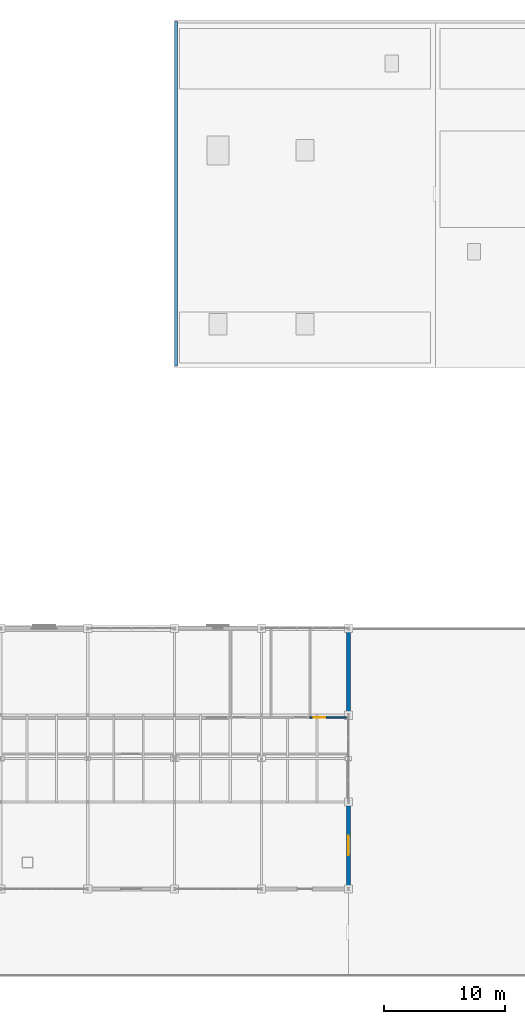
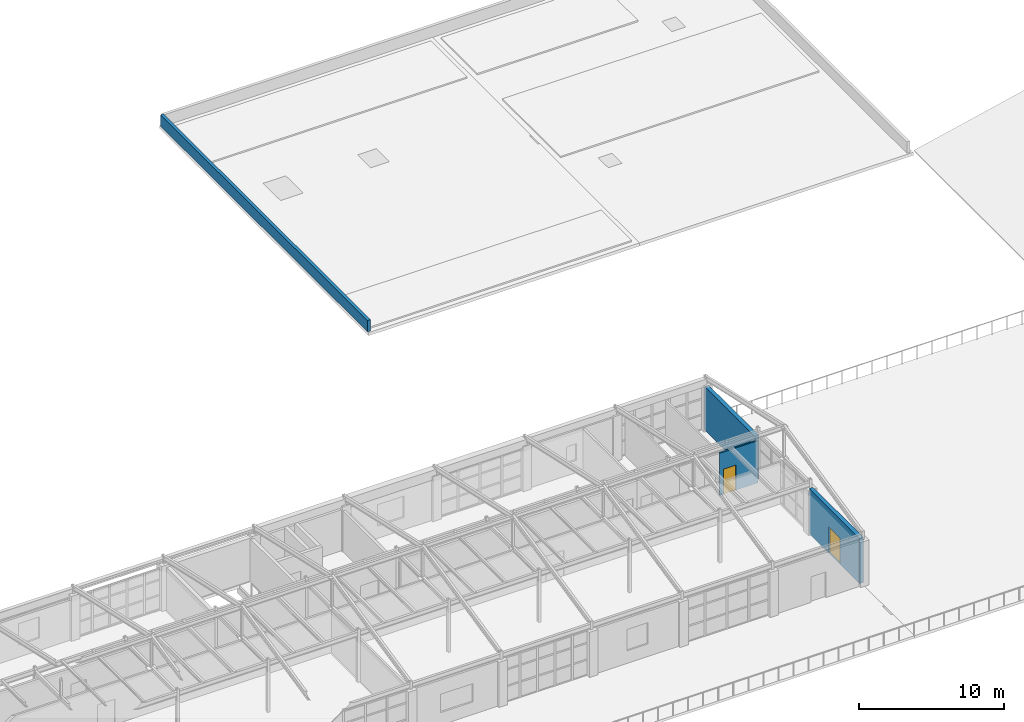
# One storey, part 95 of 101: 4 walls, 2 doors, 2 openings.
"""IFC4 building model written with IfcOpenShell, lengths in metres."""

import ifcopenshell
import ifcopenshell.guid

model = None  # the IFC model being written
_history = None  # IfcOwnerHistory: only IFC2X3 demands one
_inside = {}  # id of a spatial element -> (the spatial element, [elements in it])
_under = {}  # id of a project, library or spatial element -> (it, [spatial elements below it])
_declared = {}  # id of a project -> (the project, [libraries it declares])
_typed = {}  # id of a type object -> (the type object, [elements of that type])
_made_of = {}  # id of a material, layer set ... -> (it, [elements and type objects made of it])


def new_model(schema):
    """Start an empty IFC model of exactly this schema.

    Asked for "IFC4X3", IfcOpenShell would pick the latest addendum, in which some entities
    have other attributes; the version numbers below select the first issue.
    IFC2X3 requires an IfcOwnerHistory on every rooted entity: one is made here for all.
    """
    global model, _history
    if schema == "IFC4X3":
        model = ifcopenshell.file(schema_version=(4, 3, 0, 0))
    else:
        model = ifcopenshell.file(schema=schema)
    _inside.clear()
    _under.clear()
    _declared.clear()
    _typed.clear()
    _made_of.clear()
    _history = None
    if model.schema == "IFC2X3":
        org = make("IfcOrganization", Name="unknown")
        user = make(
            "IfcPersonAndOrganization",
            ThePerson=make("IfcPerson", FamilyName="unknown"),
            TheOrganization=org,
        )
        app = make(
            "IfcApplication",
            ApplicationDeveloper=org,
            Version="unknown",
            ApplicationFullName="unknown",
            ApplicationIdentifier="unknown",
        )
        _history = make(
            "IfcOwnerHistory",
            OwningUser=user,
            OwningApplication=app,
            ChangeAction="ADDED",
            CreationDate=0,
        )
    return model


def make(cls, **values):
    """One entity of the class cls with the attributes given. An attribute that is None is left unset."""
    return model.create_entity(
        cls, **{name: value for name, value in values.items() if value is not None}
    )


def rooted(cls, **values):
    """An entity with a GlobalId (a new one), such as an element, a storey or a relation."""
    return make(cls, GlobalId=ifcopenshell.guid.new(), OwnerHistory=_history, **values)


def si_unit(unit_type, name, prefix=None):
    """IfcSIUnit, for example si_unit("LENGTHUNIT", "METRE", prefix="MILLI")."""
    return make("IfcSIUnit", UnitType=unit_type, Prefix=prefix, Name=name)


def assignment(units):
    """IfcUnitAssignment: the units of a project."""
    return None if units is None else make("IfcUnitAssignment", Units=units)


def point(xyz):
    """IfcCartesianPoint."""
    return None if xyz is None else make("IfcCartesianPoint", Coordinates=xyz)


def direction(xyz):
    """IfcDirection."""
    return None if xyz is None else make("IfcDirection", DirectionRatios=xyz)


def frame(location, z_axis=None, x_axis=None):
    """IfcAxis2Placement3D, a coordinate frame: its origin and axes. An axis left out is left unset."""
    return make(
        "IfcAxis2Placement3D",
        Location=point(location),
        Axis=direction(z_axis),
        RefDirection=direction(x_axis),
    )


def frame_2d(location, x_axis=None):
    """IfcAxis2Placement2D, a coordinate frame in the plane: its origin and x axis."""
    return make(
        "IfcAxis2Placement2D", Location=point(location), RefDirection=direction(x_axis)
    )


def origin():
    """The frame at (0, 0, 0) with its axes left unset."""
    return frame((0.0, 0.0, 0.0))


def place(relative_to, where):
    """IfcLocalPlacement: puts the frame where relative to a parent placement (None: the world)."""
    return make(
        "IfcLocalPlacement", PlacementRelTo=relative_to, RelativePlacement=where
    )


def context(
    kind, dimensions, precision=None, world=None, true_north=None, identifier=None
):
    """IfcGeometricRepresentationContext, for example the 3D "Model" context."""
    return make(
        "IfcGeometricRepresentationContext",
        ContextIdentifier=identifier,
        ContextType=kind,
        CoordinateSpaceDimension=dimensions,
        Precision=precision,
        WorldCoordinateSystem=world,
        TrueNorth=true_north,
    )


def subcontext(parent, identifier, kind, view, scale=None):
    """IfcGeometricRepresentationSubContext, for example "Body" below "Model"."""
    return make(
        "IfcGeometricRepresentationSubContext",
        ContextIdentifier=identifier,
        ContextType=kind,
        ParentContext=parent,
        TargetScale=scale,
        TargetView=view,
    )


def project(units=None, contexts=None):
    """IfcProject with its units and contexts."""
    return rooted(
        "IfcProject",
        Name="project",
        RepresentationContexts=contexts,
        UnitsInContext=assignment(units),
    )


def spatial(cls, under=None, at=None, **own):
    """A site, building, storey or space (cls), placed at a placement, below another one or the project."""
    s = rooted(cls, ObjectPlacement=at, **own)
    if under is not None:
        _under.setdefault(under.id(), (under, []))[1].append(s)
    return s


def profile(cls, at=None, kind="AREA", **sizes):
    """A parametric profile (cls). Its sizes go by their IFC names, for example OverallWidth=200.0."""
    return make(cls, ProfileType=kind, Position=at, **sizes)


def rectangle(**sizes):
    """IfcRectangleProfileDef."""
    return profile("IfcRectangleProfileDef", **sizes)


def extrude(swept, where, along, depth):
    """IfcExtrudedAreaSolid: the profile swept, set in the frame where, extruded along a direction by depth."""
    return make(
        "IfcExtrudedAreaSolid",
        SweptArea=swept,
        Position=where,
        ExtrudedDirection=direction(along),
        Depth=depth,
    )


def shape(context_of_items, identifier, shape_type, items):
    """IfcShapeRepresentation: the items that make up one representation, for example the "Body"."""
    return make(
        "IfcShapeRepresentation",
        ContextOfItems=context_of_items,
        RepresentationIdentifier=identifier,
        RepresentationType=shape_type,
        Items=items,
    )


def material(Name=None, Category=None):
    """IfcMaterial."""
    return make("IfcMaterial", Name=Name, Category=Category)


def layer(
    of_material, thickness, ventilated=None, Name=None, Category=None, Priority=None
):
    """IfcMaterialLayer: one layer of a wall or slab, of a material (None: an air gap)."""
    return make(
        "IfcMaterialLayer",
        Material=of_material,
        LayerThickness=thickness,
        IsVentilated=ventilated,
        Name=Name,
        Category=Category,
        Priority=Priority,
    )


def layer_set(layers, Name=None):
    """IfcMaterialLayerSet."""
    return make("IfcMaterialLayerSet", MaterialLayers=layers, LayerSetName=Name)


def made_of(thing, what):
    """Note that an element or type object is made of a material, layer set ...; save() writes the relation."""
    if what is not None:
        _made_of.setdefault(what.id(), (what, []))[1].append(thing)
    return thing


def type_object(cls, material=None, **own):
    """A type object (cls), such as IfcWallType, which elements share."""
    return made_of(rooted(cls, **own), material)


def element(
    cls,
    number,
    at=None,
    inside=None,
    cuts=None,
    type_object=None,
    material=None,
    context=None,
    identifier="Body",
    shape_type=None,
    held_by="IfcProductDefinitionShape",
    body=None,
    shapes=None,
    **own,
):
    """One element of the class cls, such as IfcWall. Its Tag is "e" and its number.

    at: its placement. inside: the storey or other place that contains it. cuts: it is an
    opening in that element (IfcRelVoidsElement). A single representation is given by context,
    identifier, shape_type and body (its items); several are given by shapes. held_by: the class
    of the entity that holds the representations. save() writes the other relations.
    """
    e = rooted(cls, Tag="e%d" % number, ObjectPlacement=at, **own)
    if body is not None:
        shapes = [shape(context, identifier, shape_type, body)]
    if shapes is not None:
        e.Representation = make(held_by, Representations=shapes)
    if inside is not None:
        _inside.setdefault(inside.id(), (inside, []))[1].append(e)
    if cuts is not None:
        rooted(
            "IfcRelVoidsElement", RelatingBuildingElement=cuts, RelatedOpeningElement=e
        )
    if type_object is not None:
        _typed.setdefault(type_object.id(), (type_object, []))[1].append(e)
    return made_of(e, material)


def fill(opening, filler):
    """IfcRelFillsElement: the door or window that sits in an opening."""
    return rooted(
        "IfcRelFillsElement",
        RelatingOpeningElement=opening,
        RelatedBuildingElement=filler,
    )


def aggregate(whole, parts):
    """IfcRelAggregates: a whole, such as a stair, and the parts it consists of."""
    return rooted("IfcRelAggregates", RelatingObject=whole, RelatedObjects=parts)


def save(model, path):
    """Write the relations noted so far, then the file.

    IfcRelAggregates (storeys below a building ...), IfcRelContainedInSpatialStructure (elements
    in a storey), IfcRelDefinesByType, IfcRelAssociatesMaterial and IfcRelDeclares: one each for
    every whole, place, type object, material and project.
    """
    for whole, parts in _under.values():
        aggregate(whole, parts)
    for where, things in _inside.values():
        rooted(
            "IfcRelContainedInSpatialStructure",
            RelatedElements=things,
            RelatingStructure=where,
        )
    for kind, things in _typed.values():
        rooted("IfcRelDefinesByType", RelatedObjects=things, RelatingType=kind)
    for what, things in _made_of.values():
        rooted("IfcRelAssociatesMaterial", RelatedObjects=things, RelatingMaterial=what)
    for by, libraries in _declared.values():
        rooted("IfcRelDeclares", RelatingContext=by, RelatedDefinitions=libraries)
    model.write(path)


model = new_model("IFC4")

# Units and contexts
model_context = context("Model", 3, precision=1e-05, world=origin(), true_north=direction((0.0, 1.0)))
body_context = subcontext(model_context, "Body", "Model", "MODEL_VIEW")
ifc_project = project(units=[si_unit("LENGTHUNIT", "METRE"), si_unit("AREAUNIT", "SQUARE_METRE"), si_unit("VOLUMEUNIT", "CUBIC_METRE"), si_unit("PLANEANGLEUNIT", "RADIAN"), si_unit("MASSUNIT", "GRAM", prefix="KILO")], contexts=[model_context])

# Site, building, storey
site_placement = place(None, origin())
site = spatial("IfcSite", under=ifc_project, at=site_placement, CompositionType="ELEMENT")
building_placement = place(site_placement, origin())
building = spatial("IfcBuilding", under=site, at=building_placement, Name="Kemerveld Promenade Tramway Depot", CompositionType="ELEMENT")
storey_placement = place(building_placement, frame((0.0, 0.0, 9.89990234375)))
storey = spatial("IfcBuildingStorey", under=building, at=storey_placement, Name="L02", CompositionType="ELEMENT", Elevation=9.89990234375)

# Wall
ifc_material_1 = material(Name="Banded granite and red-ochre clay brick masonry", Category="masonry")
ifc_layer_1 = layer(ifc_material_1, 0.320068359375)
ifc_layer_set_1 = layer_set([ifc_layer_1], Name="WL-EXT-320")
wall_type_1 = type_object("IfcWallType", Name="WL-EXT-320", PredefinedType="SOLIDWALL", material=ifc_layer_set_1)
wall_1_placement = place(storey_placement, frame((129.60009765625, 28.67529296875, 0.0), z_axis=(0.0, 0.0, 1.0), x_axis=(0.0, -1.0, 0.0)))
element("IfcWall", 1, at=wall_1_placement, inside=storey, type_object=wall_type_1, Name="WL-L02-V4E-01", PredefinedType="SOLIDWALL", context=body_context, shape_type="SweptSolid", body=[
    extrude(rectangle(XDim=6.950439453125, YDim=0.320068359375, at=frame_2d((3.47509765625, 0.0))), origin(), (0.0, 0.0, 1.0), 3.655029296875),
])

# Wall, opening, door
wall_2_placement = place(storey_placement, frame((129.60009765625, 14.275146484375, 0.0), z_axis=(0.0, 0.0, 1.0), x_axis=(0.0, -1.0, 0.0)))
wall_2 = element("IfcWall", 2, at=wall_2_placement, inside=storey, type_object=wall_type_1, Name="WL-L02-V4E-03", PredefinedType="SOLIDWALL", context=body_context, shape_type="SweptSolid", body=[
    extrude(rectangle(XDim=6.950439453125, YDim=0.320068359375, at=frame_2d((3.47509765625, 0.0))), origin(), (0.0, 0.0, 1.0), 3.800048828125),
])
opening_1_placement = place(wall_2_placement, frame((2.675048828125, 0.0, 0.0)))
opening_1 = element("IfcOpeningElement", 3, at=opening_1_placement, cuts=wall_2, Name="Opening D-147", PredefinedType="OPENING", context=body_context, shape_type="SweptSolid", body=[
    extrude(rectangle(XDim=1.60009765625, YDim=2.199951171875, at=frame_2d((0.800048828125, 1.10009765625))), frame((0.0, 0.169921875, 0.0), z_axis=(0.0, -1.0, 0.0), x_axis=(1.0, 0.0, 0.0)), (0.0, 0.0, 1.0), 0.340087890625),
])
ifc_material_2 = material(Name="Thermally broken aluminium glazed terrace door", Category="aluminium")
door_type_1 = type_object("IfcDoorType", Name="DR-TER1", OperationType="NOTDEFINED", PredefinedType="DOOR", material=ifc_material_2)
door_1_placement = place(opening_1_placement, origin())
door_1 = element("IfcDoor", 4, at=door_1_placement, inside=storey, type_object=door_type_1, Name="DR-EXT-147", OperationType="SINGLE_SWING_LEFT", OverallHeight=2.199951171875, OverallWidth=1.60009765625, PredefinedType="DOOR", context=body_context, shape_type="SweptSolid", body=[
    extrude(rectangle(XDim=1.60009765625, YDim=2.199951171875, at=frame_2d((0.800048828125, 1.10009765625))), frame((0.0, 0.02490234375, 0.0), z_axis=(0.0, -1.0, 0.0), x_axis=(1.0, 0.0, 0.0)), (0.0, 0.0, 1.0), 0.050048828125),
])
fill(opening_1, door_1)

# Wall
ifc_material_3 = material(Name="Harare granite coped parapet masonry", Category="masonry")
ifc_layer_2 = layer(ifc_material_3, 0.239990234375)
ifc_layer_set_2 = layer_set([ifc_layer_2], Name="WL-PAR-240")
wall_type_2 = type_object("IfcWallType", Name="WL-PAR-240", PredefinedType="PARAPET", material=ifc_layer_set_2)
wall_3_placement = place(storey_placement, frame((115.320068359375, 50.52001953125, 0.0), z_axis=(0.0, 0.0, 1.0), x_axis=(0.0, 1.0, 0.0)))
element("IfcWall", 5, at=wall_3_placement, inside=storey, type_object=wall_type_2, Name="PAR-V3-W", PredefinedType="PARAPET", context=body_context, shape_type="SweptSolid", body=[
    extrude(rectangle(XDim=28.56005859375, YDim=0.239990234375, at=frame_2d((14.280029296875, 0.0))), origin(), (0.0, 0.0, 1.0), 0.9501953125),
])

# Wall, opening, door
ifc_material_4 = material(Name="Moisture-resistant masonry partition", Category="masonry")
ifc_layer_3 = layer(ifc_material_4, 0.1298828125)
ifc_layer_set_3 = layer_set([ifc_layer_3], Name="WL-PRT-130")
wall_type_3 = type_object("IfcWallType", Name="WL-PRT-130", PredefinedType="PARTITIONING", material=ifc_layer_set_3)
wall_4_placement = place(storey_placement, frame((126.39990234375, 21.39990234375, 0.0), z_axis=(0.0, 0.0, 1.0), x_axis=(1.0, 0.0, 0.0)))
wall_4 = element("IfcWall", 6, at=wall_4_placement, inside=storey, type_object=wall_type_3, Name="WL-PRT-RM-L02-V4-WCA", PredefinedType="PARTITIONING", context=body_context, shape_type="SweptSolid", body=[
    extrude(rectangle(XDim=3.0400390625, YDim=0.1298828125, at=frame_2d((1.52001953125, 0.0))), origin(), (0.0, 0.0, 1.0), 3.550048828125),
])
opening_2_placement = place(wall_4_placement, frame((0.320068359375, 0.0, 0.0)))
opening_2 = element("IfcOpeningElement", 7, at=opening_2_placement, cuts=wall_4, Name="Opening D-660", PredefinedType="OPENING", context=body_context, shape_type="SweptSolid", body=[
    extrude(rectangle(XDim=0.97998046875, YDim=2.10009765625, at=frame_2d((0.489990234375, 1.050048828125))), frame((0.0, 0.074951171875, 0.0), z_axis=(0.0, -1.0, 0.0), x_axis=(1.0, 0.0, 0.0)), (0.0, 0.0, 1.0), 0.14990234375),
])
ifc_material_5 = material(Name="Accessible WC outward-opening door")
door_type_2 = type_object("IfcDoorType", Name="DR-WCA1", OperationType="NOTDEFINED", PredefinedType="DOOR", material=ifc_material_5)
door_2_placement = place(opening_2_placement, origin())
door_2 = element("IfcDoor", 8, at=door_2_placement, inside=storey, type_object=door_type_2, Name="DR-RM-RM-L02-V4-WCA", OperationType="SINGLE_SWING_RIGHT", OverallHeight=2.10009765625, OverallWidth=0.97998046875, PredefinedType="DOOR", context=body_context, shape_type="SweptSolid", body=[
    extrude(rectangle(XDim=0.97998046875, YDim=2.10009765625, at=frame_2d((0.489990234375, 1.050048828125))), frame((0.0, 0.02490234375, 0.0), z_axis=(0.0, -1.0, 0.0), x_axis=(1.0, 0.0, 0.0)), (0.0, 0.0, 1.0), 0.050048828125),
])
fill(opening_2, door_2)

save(model, "model.ifc")
